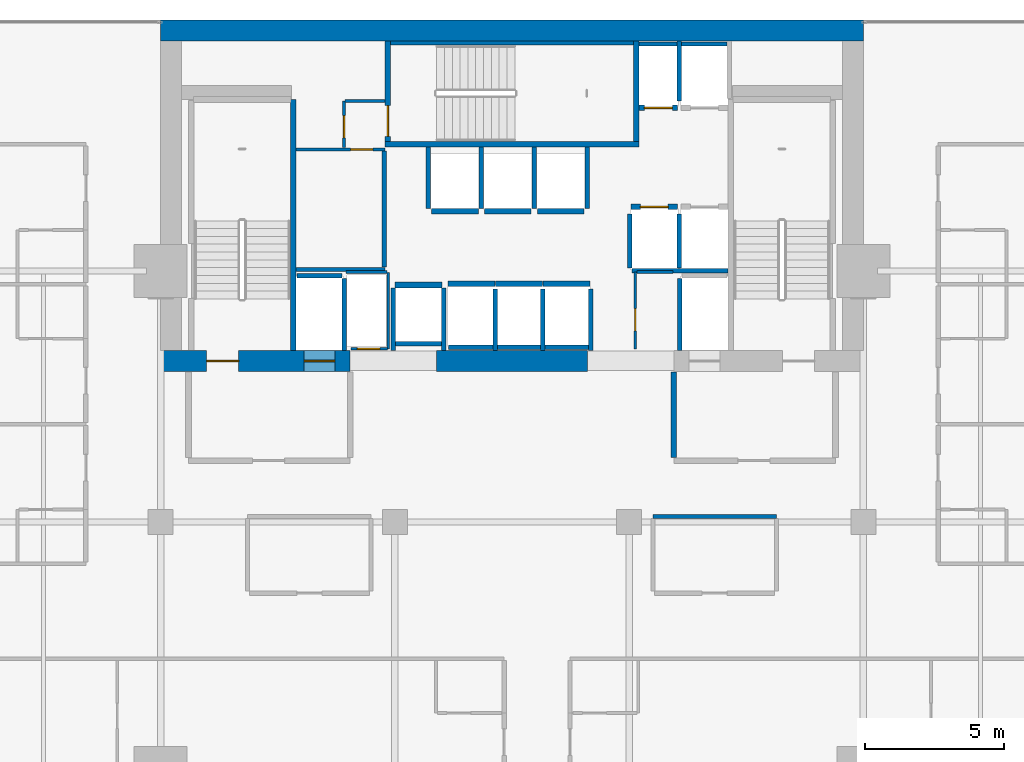
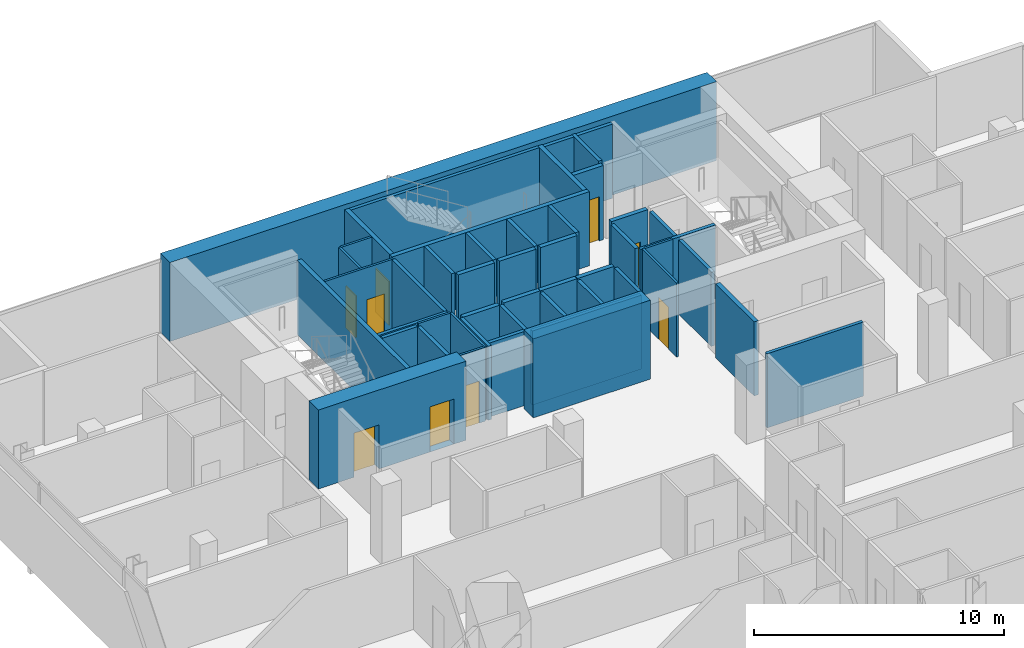
# One storey, part 30 of 34: 48 walls, 9 doors, 9 openings.
"""IFC4 building model written with IfcOpenShell, lengths in metres."""

from ifc_helpers import new_model, si_unit, direction, frame, frame_2d, origin, place, context, subcontext, project, spatial, rectangle, extrude, material, layer, layer_set, type_object, element, fill, save


model = new_model("IFC4")

# Units and contexts
model_context = context("Model", 3, precision=1e-05, world=origin(), true_north=direction((0.0, 1.0)))
body_context = subcontext(model_context, "Body", "Model", "MODEL_VIEW")
ifc_project = project(units=[si_unit("LENGTHUNIT", "METRE"), si_unit("AREAUNIT", "SQUARE_METRE"), si_unit("VOLUMEUNIT", "CUBIC_METRE"), si_unit("PLANEANGLEUNIT", "RADIAN"), si_unit("MASSUNIT", "GRAM", prefix="KILO")], contexts=[model_context])

# Site, building, storey
site_placement = place(None, origin())
site = spatial("IfcSite", under=ifc_project, at=site_placement, CompositionType="ELEMENT")
building_placement = place(site_placement, origin())
building = spatial("IfcBuilding", under=site, at=building_placement, Name="Maruvema Waterfront Hotel and Observation Tower", CompositionType="ELEMENT")
storey_placement = place(building_placement, frame((0.0, 0.0, 177.449951171875)))
storey = spatial("IfcBuildingStorey", under=building, at=storey_placement, Name="L43", CompositionType="ELEMENT", Elevation=177.449951171875)

# Walls
ifc_material_1 = material(Name="Twin-stud acoustic gypsum drywall", Category="gypsum")
ifc_layer_1 = layer(ifc_material_1, 0.14990234375, Name="Acoustic Corridor and Suite Demising Wall 150 mm")
ifc_layer_set_1 = layer_set([ifc_layer_1], Name="Twin-stud acoustic gypsum drywall")
wall_type_1 = type_object("IfcWallType", Name="Acoustic Corridor and Suite Demising Wall 150 mm", PredefinedType="PARTITIONING", material=ifc_layer_set_1)
wall_1_placement = place(storey_placement, frame((30.06005859375, 45.06005859375, 0.0), z_axis=(0.0, 0.0, 1.0), x_axis=(1.0, 0.0, 0.0)))
element("IfcWall", 1, at=wall_1_placement, inside=storey, type_object=wall_type_1, Name="L43 Freed B1 South Wall 012", PredefinedType="PARTITIONING", context=body_context, shape_type="SweptSolid", body=[
    extrude(rectangle(XDim=3.179931640625, YDim=0.14990234375, at=frame_2d((1.58984375, 0.0))), origin(), (0.0, 0.0, 1.0), 3.610107421875),
])
wall_2_placement = place(storey_placement, frame((33.219970703125, 45.139892578125, 0.0), z_axis=(0.0, 0.0, 1.0), x_axis=(0.0, 1.0, 0.0)))
element("IfcWall", 2, at=wall_2_placement, inside=storey, type_object=wall_type_1, Name="L43 Freed B1 East Wall 013", PredefinedType="PARTITIONING", context=body_context, shape_type="SweptSolid", body=[
    extrude(rectangle(XDim=4.16015625, YDim=0.14990234375, at=frame_2d((2.080078125, 0.0))), origin(), (0.0, 0.0, 1.0), 3.610107421875),
])
wall_3_placement = place(storey_placement, frame((42.85009765625, 36.199951171875, 0.0), z_axis=(0.0, 0.0, 1.0), x_axis=(1.0, 0.0, 0.0)))
element("IfcWall", 3, at=wall_3_placement, inside=storey, type_object=wall_type_1, Name="L43 L43-M2 Back Wall 021", PredefinedType="PARTITIONING", context=body_context, shape_type="SweptSolid", body=[
    extrude(rectangle(XDim=4.429931640625, YDim=0.14990234375, at=frame_2d((2.21484375, 0.0))), origin(), (0.0, 0.0, 1.0), 3.610107421875),
])
ifc_material_2 = material(Name="Precast concrete C45/55", Category="concrete")
ifc_layer_2 = layer(ifc_material_2, 0.14990234375, Name="Core Shaft Furring Wall 150 mm")
ifc_layer_set_2 = layer_set([ifc_layer_2], Name="Precast concrete C45/55")
wall_type_2 = type_object("IfcWallType", Name="Core Shaft Furring Wall 150 mm", PredefinedType="SOLIDWALL", material=ifc_layer_set_2)
wall_4_placement = place(storey_placement, frame((33.449951171875, 53.175048828125, 0.0), z_axis=(0.0, 0.0, 1.0), x_axis=(1.0, 0.0, 0.0)))
element("IfcWall", 4, at=wall_4_placement, inside=storey, type_object=wall_type_2, Name="L43 Stairwell ST-02 North Furring Wall", PredefinedType="SOLIDWALL", context=body_context, shape_type="SweptSolid", body=[
    extrude(rectangle(XDim=8.699951171875, YDim=0.14990234375, at=frame_2d((4.35009765625, 0.0))), origin(), (0.0, 0.0, 1.0), 3.610107421875),
])
ifc_material_3 = material(Name="Precast concrete C45/55", Category="concrete")
ifc_layer_3 = layer(ifc_material_3, 0.199951171875, Name="Core Shaft and Stairwell Enclosure Wall 200 mm")
ifc_layer_set_3 = layer_set([ifc_layer_3], Name="Precast concrete C45/55")
wall_type_3 = type_object("IfcWallType", Name="Core Shaft and Stairwell Enclosure Wall 200 mm", PredefinedType="SOLIDWALL", material=ifc_layer_set_3)
wall_5_placement = place(storey_placement, frame((29.949951171875, 42.14990234375, 0.0), z_axis=(0.0, 0.0, 1.0), x_axis=(0.0, 1.0, 0.0)))
element("IfcWall", 5, at=wall_5_placement, inside=storey, type_object=wall_type_3, Name="L43 Stairwell ST-01 East Shaft Wall", PredefinedType="SOLIDWALL", context=body_context, shape_type="SweptSolid", body=[
    extrude(rectangle(XDim=9.0, YDim=0.199951171875, at=frame_2d((4.5, 0.0))), origin(), (0.0, 0.0, 1.0), 3.610107421875),
])
wall_6_placement = place(storey_placement, frame((33.25, 49.550048828125, 0.0), z_axis=(0.0, 0.0, 1.0), x_axis=(1.0, 0.0, 0.0)))
element("IfcWall", 6, at=wall_6_placement, inside=storey, type_object=wall_type_3, Name="L43 Stairwell ST-02 Shaft Wall", PredefinedType="SOLIDWALL", context=body_context, shape_type="SweptSolid", body=[
    extrude(rectangle(XDim=9.10009765625, YDim=0.199951171875, at=frame_2d((4.550048828125, 0.0))), origin(), (0.0, 0.0, 1.0), 3.610107421875),
])
wall_7_placement = place(storey_placement, frame((42.25, 49.64990234375, 0.0), z_axis=(0.0, 0.0, 1.0), x_axis=(0.0, 1.0, 0.0)))
element("IfcWall", 7, at=wall_7_placement, inside=storey, type_object=wall_type_3, Name="L43 Stairwell ST-02 Shaft Wall", PredefinedType="SOLIDWALL", context=body_context, shape_type="SweptSolid", body=[
    extrude(rectangle(XDim=3.60009765625, YDim=0.199951171875, at=frame_2d((1.800048828125, 0.0))), origin(), (0.0, 0.0, 1.0), 3.610107421875),
])

# Wall, opening, door
wall_8_placement = place(storey_placement, frame((33.35009765625, 49.64990234375, 0.0), z_axis=(0.0, 0.0, 1.0), x_axis=(0.0, 1.0, 0.0)))
wall_8 = element("IfcWall", 8, at=wall_8_placement, inside=storey, type_object=wall_type_3, Name="L43 Stairwell ST-02 Shaft Wall", PredefinedType="SOLIDWALL", context=body_context, shape_type="SweptSolid", body=[
    extrude(rectangle(XDim=3.60009765625, YDim=0.199951171875, at=frame_2d((1.800048828125, 0.0))), origin(), (0.0, 0.0, 1.0), 3.610107421875),
])
opening_1_placement = place(wall_8_placement, frame((0.179931640625, 0.0, 0.0)))
opening_1 = element("IfcOpeningElement", 9, at=opening_1_placement, cuts=wall_8, Name="Opening SD-02", PredefinedType="OPENING", context=body_context, shape_type="SweptSolid", body=[
    extrude(rectangle(XDim=1.10009765625, YDim=2.14990234375, at=frame_2d((0.550048828125, 1.074951171875))), frame((0.0, 0.10986328125, 0.0), z_axis=(0.0, -1.0, 0.0), x_axis=(1.0, 0.0, 0.0)), (0.0, 0.0, 1.0), 0.219970703125),
])
ifc_material_4 = material(Name="Fire-rated galvanised steel leaf", Category="steel")
door_type_1 = type_object("IfcDoorType", Name="Central Exit Stair Fire Door 1100x2150 mm", OperationType="NOTDEFINED", PredefinedType="DOOR", material=ifc_material_4)
door_1_placement = place(opening_1_placement, frame((1.10009765625, 0.0, 0.0), z_axis=(0.0, 0.0, 1.0), x_axis=(-1.0, 0.0, 0.0)))
door_1 = element("IfcDoor", 10, at=door_1_placement, inside=storey, type_object=door_type_1, Name="L43 Exit Stair ST-02 Fire Door", OperationType="SINGLE_SWING_LEFT", OverallHeight=2.14990234375, OverallWidth=1.10009765625, PredefinedType="DOOR", context=body_context, shape_type="SweptSolid", body=[
    extrude(rectangle(XDim=1.10009765625, YDim=2.14990234375, at=frame_2d((0.550048828125, 1.074951171875))), frame((0.0, 0.02490234375, 0.0), z_axis=(0.0, -1.0, 0.0), x_axis=(1.0, 0.0, 0.0)), (0.0, 0.0, 1.0), 0.050048828125),
])
fill(opening_1, door_1)

wall_9_placement = place(storey_placement, frame((42.06005859375, 47.300048828125, 0.0), z_axis=(0.0, 0.0, 1.0), x_axis=(1.0, 0.0, 0.0)))
wall_9 = element("IfcWall", 11, at=wall_9_placement, inside=storey, type_object=wall_type_3, Name="L43 Lift LF-05 Hoistway Front Wall", PredefinedType="SOLIDWALL", context=body_context, shape_type="SweptSolid", body=[
    extrude(rectangle(XDim=1.679931640625, YDim=0.199951171875, at=frame_2d((0.83984375, 0.0))), origin(), (0.0, 0.0, 1.0), 3.610107421875),
])
opening_2_placement = place(wall_9_placement, frame((0.340087890625, 0.0, 0.0)))
opening_2 = element("IfcOpeningElement", 12, at=opening_2_placement, cuts=wall_9, Name="Opening LD-01", PredefinedType="OPENING", context=body_context, shape_type="SweptSolid", body=[
    extrude(rectangle(XDim=1.0, YDim=2.14990234375, at=frame_2d((0.5, 1.074951171875))), frame((0.0, 0.10986328125, 0.0), z_axis=(0.0, -1.0, 0.0), x_axis=(1.0, 0.0, 0.0)), (0.0, 0.0, 1.0), 0.219970703125),
])
ifc_material_5 = material(Name="Brushed stainless steel Grade 316", Category="steel")
door_type_2 = type_object("IfcDoorType", Name="Passenger Lift Sliding Landing Door 1000x2150 mm", OperationType="SLIDING_TO_LEFT", PredefinedType="DOOR", material=ifc_material_5)
door_2_placement = place(opening_2_placement, origin())
door_2 = element("IfcDoor", 13, at=door_2_placement, inside=storey, type_object=door_type_2, Name="L43 Lift LF-05 Sliding Landing Door", OperationType="SLIDING_TO_LEFT", OverallHeight=2.14990234375, OverallWidth=1.0, PredefinedType="DOOR", context=body_context, shape_type="SweptSolid", body=[
    extrude(rectangle(XDim=1.0, YDim=2.14990234375, at=frame_2d((0.5, 1.074951171875))), frame((0.0, 0.02490234375, 0.0), z_axis=(0.0, -1.0, 0.0), x_axis=(1.0, 0.0, 0.0)), (0.0, 0.0, 1.0), 0.050048828125),
])
fill(opening_2, door_2)

wall_10_placement = place(storey_placement, frame((42.360107421875, 50.85009765625, 0.0), z_axis=(0.0, 0.0, 1.0), x_axis=(1.0, 0.0, 0.0)))
wall_10 = element("IfcWall", 14, at=wall_10_placement, inside=storey, type_object=wall_type_3, Name="L43 Lift LF-07 Hoistway Front Wall", PredefinedType="SOLIDWALL", context=body_context, shape_type="SweptSolid", body=[
    extrude(rectangle(XDim=1.3798828125, YDim=0.199951171875, at=frame_2d((0.68994140625, 0.0))), origin(), (0.0, 0.0, 1.0), 3.610107421875),
])
opening_3_placement = place(wall_10_placement, frame((0.18994140625, 0.0, 0.0)))
opening_3 = element("IfcOpeningElement", 15, at=opening_3_placement, cuts=wall_10, Name="Opening LD-01", PredefinedType="OPENING", context=body_context, shape_type="SweptSolid", body=[
    extrude(rectangle(XDim=1.0, YDim=2.14990234375, at=frame_2d((0.5, 1.074951171875))), frame((0.0, 0.10986328125, 0.0), z_axis=(0.0, -1.0, 0.0), x_axis=(1.0, 0.0, 0.0)), (0.0, 0.0, 1.0), 0.219970703125),
])
door_3_placement = place(opening_3_placement, frame((1.0, 0.0, 0.0), z_axis=(0.0, 0.0, 1.0), x_axis=(-1.0, 0.0, 0.0)))
door_3 = element("IfcDoor", 16, at=door_3_placement, inside=storey, type_object=door_type_2, Name="L43 Lift LF-07 Sliding Landing Door", OperationType="SLIDING_TO_LEFT", OverallHeight=2.14990234375, OverallWidth=1.0, PredefinedType="DOOR", context=body_context, shape_type="SweptSolid", body=[
    extrude(rectangle(XDim=1.0, YDim=2.14990234375, at=frame_2d((0.5, 1.074951171875))), frame((0.0, 0.02490234375, 0.0), z_axis=(0.0, -1.0, 0.0), x_axis=(1.0, 0.0, 0.0)), (0.0, 0.0, 1.0), 0.050048828125),
])
fill(opening_3, door_3)

# Walls
for number, where, z_axis, x_axis, name in (
    (17, (35.510009765625, 44.550048828125, 0.0), (0.0, 0.0, 1.0), (1.0, 0.0, 0.0), "L43 Lift LF-09 Hoistway Front Wall"),
    (18, (37.2099609375, 44.550048828125, 0.0), (0.0, 0.0, 1.0), (1.0, 0.0, 0.0), "L43 Lift LF-10 Hoistway Front Wall"),
):
    element("IfcWall", number, at=place(storey_placement, frame(where, z_axis=z_axis, x_axis=x_axis)), inside=storey, type_object=wall_type_3, Name=name, PredefinedType="SOLIDWALL", context=body_context, shape_type="SweptSolid", body=[
        extrude(rectangle(XDim=1.679931640625, YDim=0.199951171875, at=frame_2d((0.83984375, 0.0))), origin(), (0.0, 0.0, 1.0), 3.610107421875),
    ])
for number, where, z_axis, x_axis, name in (
    (19, (38.909912109375, 44.550048828125, 0.0), (0.0, 0.0, 1.0), (1.0, 0.0, 0.0), "L43 Lift LF-11 Hoistway Front Wall"),
    (20, (34.909912109375, 47.14990234375, 0.0), (0.0, 0.0, 1.0), (1.0, 0.0, 0.0), "L43 Lift LF-12 Hoistway Front Wall"),
):
    element("IfcWall", number, at=place(storey_placement, frame(where, z_axis=z_axis, x_axis=x_axis)), inside=storey, type_object=wall_type_3, Name=name, PredefinedType="SOLIDWALL", context=body_context, shape_type="SweptSolid", body=[
        extrude(rectangle(XDim=1.68017578125, YDim=0.199951171875, at=frame_2d((0.840087890625, 0.0))), origin(), (0.0, 0.0, 1.0), 3.610107421875),
    ])
for number, where, z_axis, x_axis, name in (
    (21, (36.81005859375, 47.14990234375, 0.0), (0.0, 0.0, 1.0), (1.0, 0.0, 0.0), "L43 Lift LF-13 Hoistway Front Wall"),
    (22, (38.7099609375, 47.14990234375, 0.0), (0.0, 0.0, 1.0), (1.0, 0.0, 0.0), "L43 Lift LF-14 Hoistway Front Wall"),
    (23, (33.610107421875, 44.5, 0.0), (0.0, 0.0, 1.0), (1.0, 0.0, 0.0), "L43 Lift LF-15 Hoistway Front Wall"),
):
    element("IfcWall", number, at=place(storey_placement, frame(where, z_axis=z_axis, x_axis=x_axis)), inside=storey, type_object=wall_type_3, Name=name, PredefinedType="SOLIDWALL", context=body_context, shape_type="SweptSolid", body=[
        extrude(rectangle(XDim=1.679931640625, YDim=0.199951171875, at=frame_2d((0.83984375, 0.0))), origin(), (0.0, 0.0, 1.0), 3.610107421875),
    ])
ifc_material_6 = material(Name="Concrete C70/85", Category="concrete")
ifc_layer_4 = layer(ifc_material_6, 0.75, Name="Core Shear Wall 750 mm")
ifc_layer_set_4 = layer_set([ifc_layer_4], Name="Concrete C70/85")
wall_type_4 = type_object("IfcWallType", Name="Core Shear Wall 750 mm", PredefinedType="SHEAR", material=ifc_layer_set_4)
wall_11_placement = place(storey_placement, frame((25.199951171875, 53.625, 0.0), z_axis=(0.0, 0.0, 1.0), x_axis=(1.0, 0.0, 0.0)))
element("IfcWall", 24, at=wall_11_placement, inside=storey, type_object=wall_type_4, Name="L43 North Core Shear Wall", PredefinedType="SHEAR", context=body_context, shape_type="SweptSolid", body=[
    extrude(rectangle(XDim=25.199951171875, YDim=0.75, at=frame_2d((12.60009765625, 0.0))), origin(), (0.0, 0.0, 1.0), 3.85009765625),
])

# Wall, openings, doors
wall_12_placement = place(storey_placement, frame((25.199951171875, 41.77490234375, 0.0), z_axis=(0.0, 0.0, 1.0), x_axis=(1.0, 0.0, 0.0)))
wall_12 = element("IfcWall", 25, at=wall_12_placement, inside=storey, type_object=wall_type_4, Name="L43 South-West Core Shear Wall", PredefinedType="SHEAR", context=body_context, shape_type="SweptSolid", body=[
    extrude(rectangle(XDim=6.800048828125, YDim=0.75, at=frame_2d((3.39990234375, 0.0))), origin(), (0.0, 0.0, 1.0), 3.85009765625),
])
opening_4_placement = place(wall_12_placement, frame((1.64990234375, 0.0, 0.0)))
opening_4 = element("IfcOpeningElement", 26, at=opening_4_placement, cuts=wall_12, Name="Opening SD-01", PredefinedType="OPENING", context=body_context, shape_type="SweptSolid", body=[
    extrude(rectangle(XDim=1.14990234375, YDim=2.14990234375, at=frame_2d((0.574951171875, 1.074951171875))), frame((0.0, 0.385009765625, 0.0), z_axis=(0.0, -1.0, 0.0), x_axis=(1.0, 0.0, 0.0)), (0.0, 0.0, 1.0), 0.77001953125),
])
opening_5_placement = place(wall_12_placement, frame((5.14990234375, 0.0, 0.0)))
opening_5 = element("IfcOpeningElement", 27, at=opening_5_placement, cuts=wall_12, Name="Opening LD-03", PredefinedType="OPENING", context=body_context, shape_type="SweptSolid", body=[
    extrude(rectangle(XDim=1.10009765625, YDim=2.199951171875, at=frame_2d((0.550048828125, 1.10009765625))), frame((0.0, 0.385009765625, 0.0), z_axis=(0.0, -1.0, 0.0), x_axis=(1.0, 0.0, 0.0)), (0.0, 0.0, 1.0), 0.77001953125),
])
ifc_material_7 = material(Name="Fire-rated galvanised steel leaf", Category="steel")
door_type_3 = type_object("IfcDoorType", Name="Exit Stair Fire Door 1150x2150 mm", OperationType="NOTDEFINED", PredefinedType="DOOR", material=ifc_material_7)
door_4_placement = place(opening_4_placement, origin())
door_4 = element("IfcDoor", 28, at=door_4_placement, inside=storey, type_object=door_type_3, Name="L43 Exit Stair ST-01 Fire Door", OperationType="SINGLE_SWING_LEFT", OverallHeight=2.14990234375, OverallWidth=1.14990234375, PredefinedType="DOOR", context=body_context, shape_type="SweptSolid", body=[
    extrude(rectangle(XDim=1.14990234375, YDim=2.14990234375, at=frame_2d((0.574951171875, 1.074951171875))), frame((0.0, 0.02490234375, 0.0), z_axis=(0.0, -1.0, 0.0), x_axis=(1.0, 0.0, 0.0)), (0.0, 0.0, 1.0), 0.050048828125),
])
fill(opening_4, door_4)
ifc_material_8 = material(Name="Brushed stainless steel Grade 316", Category="steel")
door_type_4 = type_object("IfcDoorType", Name="Firefighting Lift Sliding Landing Door 1100x2200 mm", OperationType="SLIDING_TO_LEFT", PredefinedType="DOOR", material=ifc_material_8)
door_5_placement = place(opening_5_placement, frame((1.10009765625, 0.0, 0.0), z_axis=(0.0, 0.0, 1.0), x_axis=(-1.0, 0.0, 0.0)))
door_5 = element("IfcDoor", 29, at=door_5_placement, inside=storey, type_object=door_type_4, Name="L43 Firefighting Lift FL-01 Landing Door", OperationType="SLIDING_TO_LEFT", OverallHeight=2.199951171875, OverallWidth=1.10009765625, PredefinedType="DOOR", context=body_context, shape_type="SweptSolid", body=[
    extrude(rectangle(XDim=1.10009765625, YDim=2.199951171875, at=frame_2d((0.550048828125, 1.10009765625))), frame((0.0, 0.02490234375, 0.0), z_axis=(0.0, -1.0, 0.0), x_axis=(1.0, 0.0, 0.0)), (0.0, 0.0, 1.0), 0.050048828125),
])
fill(opening_5, door_5)

# Wall
wall_13_placement = place(storey_placement, frame((35.10009765625, 41.77490234375, 0.0), z_axis=(0.0, 0.0, 1.0), x_axis=(1.0, 0.0, 0.0)))
element("IfcWall", 30, at=wall_13_placement, inside=storey, type_object=wall_type_4, Name="L43 South-Central Core Shear Wall", PredefinedType="SHEAR", context=body_context, shape_type="SweptSolid", body=[
    extrude(rectangle(XDim=5.39990234375, YDim=0.75, at=frame_2d((2.699951171875, 0.0))), origin(), (0.0, 0.0, 1.0), 3.85009765625),
])

# Wall, opening, door
ifc_material_9 = material(Name="Moisture-resistant cement-board drywall", Category="gypsum")
ifc_layer_5 = layer(ifc_material_9, 0.10009765625, Name="En-Suite Moisture-Resistant Partition 100 mm")
ifc_layer_set_5 = layer_set([ifc_layer_5], Name="Moisture-resistant cement-board drywall")
wall_type_5 = type_object("IfcWallType", Name="En-Suite Moisture-Resistant Partition 100 mm", PredefinedType="PARTITIONING", material=ifc_layer_set_5)
wall_14_placement = place(storey_placement, frame((32.02001953125, 42.2099609375, 0.0), z_axis=(0.0, 0.0, 1.0), x_axis=(1.0, 0.0, 0.0)))
wall_14 = element("IfcWall", 31, at=wall_14_placement, inside=storey, type_object=wall_type_5, Name="L43 Telecom Riser South Wall 007", PredefinedType="PARTITIONING", context=body_context, shape_type="SweptSolid", body=[
    extrude(rectangle(XDim=1.320068359375, YDim=0.10009765625, at=frame_2d((0.66015625, 0.0))), origin(), (0.0, 0.0, 1.0), 3.610107421875),
])
opening_6_placement = place(wall_14_placement, frame((0.239990234375, 0.0, 0.0)))
opening_6 = element("IfcOpeningElement", 32, at=opening_6_placement, cuts=wall_14, Name="Opening DR-080", PredefinedType="OPENING", context=body_context, shape_type="SweptSolid", body=[
    extrude(rectangle(XDim=0.800048828125, YDim=2.050048828125, at=frame_2d((0.39990234375, 1.02490234375))), frame((0.0, 0.06005859375, 0.0), z_axis=(0.0, -1.0, 0.0), x_axis=(1.0, 0.0, 0.0)), (0.0, 0.0, 1.0), 0.1201171875),
])
ifc_material_10 = material(Name="Powder-coated steel access leaf", Category="steel")
door_type_5 = type_object("IfcDoorType", Name="Riser and Service Cupboard Door 800x2050 mm", OperationType="NOTDEFINED", PredefinedType="DOOR", material=ifc_material_10)
door_6_placement = place(opening_6_placement, frame((0.800048828125, 0.0, 0.0), z_axis=(0.0, 0.0, 1.0), x_axis=(-1.0, 0.0, 0.0)))
door_6 = element("IfcDoor", 33, at=door_6_placement, inside=storey, type_object=door_type_5, Name="L43 Telecom Riser Door", OperationType="SINGLE_SWING_RIGHT", OverallHeight=2.050048828125, OverallWidth=0.800048828125, PredefinedType="DOOR", context=body_context, shape_type="SweptSolid", body=[
    extrude(rectangle(XDim=0.800048828125, YDim=2.050048828125, at=frame_2d((0.39990234375, 1.02490234375))), frame((0.0, 0.02490234375, 0.0), z_axis=(0.0, -1.0, 0.0), x_axis=(1.0, 0.0, 0.0)), (0.0, 0.0, 1.0), 0.050048828125),
])
fill(opening_6, door_6)

# Walls
wall_15_placement = place(storey_placement, frame((31.840087890625, 44.9599609375, 0.0), z_axis=(0.0, 0.0, 1.0), x_axis=(1.0, 0.0, 0.0)))
element("IfcWall", 34, at=wall_15_placement, inside=storey, type_object=wall_type_5, Name="L43 Telecom Riser North Wall 008", PredefinedType="PARTITIONING", context=body_context, shape_type="SweptSolid", body=[
    extrude(rectangle(XDim=1.47998046875, YDim=0.10009765625, at=frame_2d((0.739990234375, 0.0))), origin(), (0.0, 0.0, 1.0), 3.610107421875),
])
wall_16_placement = place(storey_placement, frame((33.360107421875, 42.2099609375, 0.0), z_axis=(0.0, 0.0, 1.0), x_axis=(0.0, 1.0, 0.0)))
element("IfcWall", 35, at=wall_16_placement, inside=storey, type_object=wall_type_5, Name="L43 Telecom Riser East Wall 009", PredefinedType="PARTITIONING", context=body_context, shape_type="SweptSolid", body=[
    extrude(rectangle(XDim=2.72998046875, YDim=0.10009765625, at=frame_2d((1.364990234375, 0.0))), origin(), (0.0, 0.0, 1.0), 3.610107421875),
])

# Wall, opening, door
wall_17_placement = place(storey_placement, frame((42.219970703125, 42.199951171875, 0.0), z_axis=(0.0, 0.0, 1.0), x_axis=(0.0, 1.0, 0.0)))
wall_17 = element("IfcWall", 36, at=wall_17_placement, inside=storey, type_object=wall_type_5, Name="L43 Core Closet K1 West 010", PredefinedType="PARTITIONING", context=body_context, shape_type="SweptSolid", body=[
    extrude(rectangle(XDim=2.760009765625, YDim=0.10009765625, at=frame_2d((1.3798828125, 0.0))), origin(), (0.0, 0.0, 1.0), 3.610107421875),
])
opening_7_placement = place(wall_17_placement, frame((0.64990234375, 0.0, 0.0)))
opening_7 = element("IfcOpeningElement", 37, at=opening_7_placement, cuts=wall_17, Name="Opening DR-080", PredefinedType="OPENING", context=body_context, shape_type="SweptSolid", body=[
    extrude(rectangle(XDim=0.800048828125, YDim=2.050048828125, at=frame_2d((0.39990234375, 1.02490234375))), frame((0.0, 0.06005859375, 0.0), z_axis=(0.0, -1.0, 0.0), x_axis=(1.0, 0.0, 0.0)), (0.0, 0.0, 1.0), 0.1201171875),
])
door_7_placement = place(opening_7_placement, frame((0.800048828125, 0.0, 0.0), z_axis=(0.0, 0.0, 1.0), x_axis=(-1.0, 0.0, 0.0)))
door_7 = element("IfcDoor", 38, at=door_7_placement, inside=storey, type_object=door_type_5, Name="L43 Core Cleaning Store Door", OperationType="SINGLE_SWING_LEFT", OverallHeight=2.050048828125, OverallWidth=0.800048828125, PredefinedType="DOOR", context=body_context, shape_type="SweptSolid", body=[
    extrude(rectangle(XDim=0.800048828125, YDim=2.050048828125, at=frame_2d((0.39990234375, 1.02490234375))), frame((0.0, 0.02490234375, 0.0), z_axis=(0.0, -1.0, 0.0), x_axis=(1.0, 0.0, 0.0)), (0.0, 0.0, 1.0), 0.050048828125),
])
fill(opening_7, door_7)

# Wall
wall_18_placement = place(storey_placement, frame((42.280029296875, 44.9599609375, 0.0), z_axis=(0.0, 0.0, 1.0), x_axis=(1.0, 0.0, 0.0)))
element("IfcWall", 39, at=wall_18_placement, inside=storey, type_object=wall_type_5, Name="L43 Core Closet K1 North 011", PredefinedType="PARTITIONING", context=body_context, shape_type="SweptSolid", body=[
    extrude(rectangle(XDim=1.300048828125, YDim=0.10009765625, at=frame_2d((0.64990234375, 0.0))), origin(), (0.0, 0.0, 1.0), 3.610107421875),
])

# Wall, opening, door
wall_19_placement = place(storey_placement, frame((30.06005859375, 49.360107421875, 0.0), z_axis=(0.0, 0.0, 1.0), x_axis=(1.0, 0.0, 0.0)))
wall_19 = element("IfcWall", 40, at=wall_19_placement, inside=storey, type_object=wall_type_5, Name="L43 Freed B1 Mid Wall 014", PredefinedType="PARTITIONING", context=body_context, shape_type="SweptSolid", body=[
    extrude(rectangle(XDim=3.179931640625, YDim=0.10009765625, at=frame_2d((1.58984375, 0.0))), origin(), (0.0, 0.0, 1.0), 3.610107421875),
])
opening_8_placement = place(wall_19_placement, frame((1.949951171875, 0.0, 0.0)))
opening_8 = element("IfcOpeningElement", 41, at=opening_8_placement, cuts=wall_19, Name="Opening DR-080", PredefinedType="OPENING", context=body_context, shape_type="SweptSolid", body=[
    extrude(rectangle(XDim=0.800048828125, YDim=2.050048828125, at=frame_2d((0.39990234375, 1.02490234375))), frame((0.0, 0.06005859375, 0.0), z_axis=(0.0, -1.0, 0.0), x_axis=(1.0, 0.0, 0.0)), (0.0, 0.0, 1.0), 0.1201171875),
])
door_8_placement = place(opening_8_placement, origin())
door_8 = element("IfcDoor", 42, at=door_8_placement, inside=storey, type_object=door_type_5, Name="L43 Housekeeping and Linen Room Door", OperationType="SINGLE_SWING_RIGHT", OverallHeight=2.050048828125, OverallWidth=0.800048828125, PredefinedType="DOOR", context=body_context, shape_type="SweptSolid", body=[
    extrude(rectangle(XDim=0.800048828125, YDim=2.050048828125, at=frame_2d((0.39990234375, 1.02490234375))), frame((0.0, 0.02490234375, 0.0), z_axis=(0.0, -1.0, 0.0), x_axis=(1.0, 0.0, 0.0)), (0.0, 0.0, 1.0), 0.050048828125),
])
fill(opening_8, door_8)

wall_20_placement = place(storey_placement, frame((31.780029296875, 49.419921875, 0.0), z_axis=(0.0, 0.0, 1.0), x_axis=(0.0, 1.0, 0.0)))
wall_20 = element("IfcWall", 43, at=wall_20_placement, inside=storey, type_object=wall_type_5, Name="L43 Freed B1 NW East Wall 015", PredefinedType="PARTITIONING", context=body_context, shape_type="SweptSolid", body=[
    extrude(rectangle(XDim=1.68017578125, YDim=0.10009765625, at=frame_2d((0.840087890625, 0.0))), origin(), (0.0, 0.0, 1.0), 3.610107421875),
])
opening_9_placement = place(wall_20_placement, frame((0.35009765625, 0.0, 0.0)))
opening_9 = element("IfcOpeningElement", 44, at=opening_9_placement, cuts=wall_20, Name="Opening DR-080", PredefinedType="OPENING", context=body_context, shape_type="SweptSolid", body=[
    extrude(rectangle(XDim=0.800048828125, YDim=2.050048828125, at=frame_2d((0.39990234375, 1.02490234375))), frame((0.0, 0.06005859375, 0.0), z_axis=(0.0, -1.0, 0.0), x_axis=(1.0, 0.0, 0.0)), (0.0, 0.0, 1.0), 0.1201171875),
])
door_9_placement = place(opening_9_placement, origin())
door_9 = element("IfcDoor", 45, at=door_9_placement, inside=storey, type_object=door_type_5, Name="L43 Guest Floor Pantry Door", OperationType="SINGLE_SWING_LEFT", OverallHeight=2.050048828125, OverallWidth=0.800048828125, PredefinedType="DOOR", context=body_context, shape_type="SweptSolid", body=[
    extrude(rectangle(XDim=0.800048828125, YDim=2.050048828125, at=frame_2d((0.39990234375, 1.02490234375))), frame((0.0, 0.02490234375, 0.0), z_axis=(0.0, -1.0, 0.0), x_axis=(1.0, 0.0, 0.0)), (0.0, 0.0, 1.0), 0.050048828125),
])
fill(opening_9, door_9)

# Walls
wall_21_placement = place(storey_placement, frame((31.820068359375, 51.10009765625, 0.0), z_axis=(0.0, 0.0, 1.0), x_axis=(1.0, 0.0, 0.0)))
element("IfcWall", 46, at=wall_21_placement, inside=storey, type_object=wall_type_5, Name="L43 Freed B1 Vestibule North Wall 016", PredefinedType="PARTITIONING", context=body_context, shape_type="SweptSolid", body=[
    extrude(rectangle(XDim=1.419921875, YDim=0.10009765625, at=frame_2d((0.7099609375, 0.0))), origin(), (0.0, 0.0, 1.0), 3.610107421875),
])
ifc_material_11 = material(Name="Autoclaved cellular concrete blockwork", Category="masonry")
ifc_layer_6 = layer(ifc_material_11, 0.199951171875, Name="Fire Compartment Masonry Wall 200 mm")
ifc_layer_set_6 = layer_set([ifc_layer_6], Name="Autoclaved cellular concrete blockwork")
wall_type_6 = type_object("IfcWallType", Name="Fire Compartment Masonry Wall 200 mm", PredefinedType="PARTITIONING", material=ifc_layer_set_6)
wall_22_placement = place(storey_placement, frame((43.60009765625, 38.31005859375, 0.0), z_axis=(0.0, 0.0, 1.0), x_axis=(0.0, 1.0, 0.0)))
element("IfcWall", 47, at=wall_22_placement, inside=storey, type_object=wall_type_6, Name="L43 FFL East West Wall 005", PredefinedType="PARTITIONING", context=body_context, shape_type="SweptSolid", body=[
    extrude(rectangle(XDim=3.06982421875, YDim=0.199951171875, at=frame_2d((1.534912109375, 0.0))), origin(), (0.0, 0.0, 1.0), 3.610107421875),
])
ifc_material_12 = material(Name="Precast concrete C45/55", Category="concrete")
ifc_layer_7 = layer(ifc_material_12, 0.159912109375, Name="Lift Hoistway Divider Wall 160 mm")
ifc_layer_set_7 = layer_set([ifc_layer_7], Name="Precast concrete C45/55")
wall_type_7 = type_object("IfcWallType", Name="Lift Hoistway Divider Wall 160 mm", PredefinedType="SOLIDWALL", material=ifc_layer_set_7)
wall_23_placement = place(storey_placement, frame((30.10009765625, 44.830078125, 0.0), z_axis=(0.0, 0.0, 1.0), x_axis=(1.0, 0.0, 0.0)))
element("IfcWall", 48, at=wall_23_placement, inside=storey, type_object=wall_type_7, Name="L43 Lift FL-01 Rear Hoistway Wall", PredefinedType="SOLIDWALL", context=body_context, shape_type="SweptSolid", body=[
    extrude(rectangle(XDim=1.599853515625, YDim=0.159912109375, at=frame_2d((0.7998046875, 0.0))), origin(), (0.0, 0.0, 1.0), 3.610107421875),
])
for number, where, z_axis, x_axis, name in (
    (49, (31.780029296875, 42.14990234375, 0.0), (0.0, 0.0, 1.0), (0.0, 1.0, 0.0), "L43 Lift FL-01 Inner Hoistway Wall"),
    (50, (43.820068359375, 42.14990234375, 0.0), (0.0, 0.0, 1.0), (0.0, 1.0, 0.0), "L43 Lift FL-02 Inner Hoistway Wall"),
):
    element("IfcWall", number, at=place(storey_placement, frame(where, z_axis=z_axis, x_axis=x_axis)), inside=storey, type_object=wall_type_7, Name=name, PredefinedType="SOLIDWALL", context=body_context, shape_type="SweptSolid", body=[
        extrude(rectangle(XDim=2.590087890625, YDim=0.159912109375, at=frame_2d((1.294921875, 0.0))), origin(), (0.0, 0.0, 1.0), 3.610107421875),
    ])
for number, where, z_axis, x_axis, name in (
    (51, (42.02001953125, 45.10009765625, 0.0), (0.0, 0.0, 1.0), (0.0, 1.0, 0.0), "L43 Hoistway Divider Wall"),
    (52, (43.800048828125, 45.10009765625, 0.0), (0.0, 0.0, 1.0), (0.0, 1.0, 0.0), "L43 Hoistway Divider Wall"),
):
    element("IfcWall", number, at=place(storey_placement, frame(where, z_axis=z_axis, x_axis=x_axis)), inside=storey, type_object=wall_type_7, Name=name, PredefinedType="SOLIDWALL", context=body_context, shape_type="SweptSolid", body=[
        extrude(rectangle(XDim=1.949951171875, YDim=0.159912109375, at=frame_2d((0.97509765625, 0.0))), origin(), (0.0, 0.0, 1.0), 3.610107421875),
    ])
wall_24_placement = place(storey_placement, frame((42.10009765625, 45.010009765625, 0.0), z_axis=(0.0, 0.0, 1.0), x_axis=(1.0, 0.0, 0.0)))
element("IfcWall", 53, at=wall_24_placement, inside=storey, type_object=wall_type_7, Name="L43 Hoistway Divider Wall", PredefinedType="SOLIDWALL", context=body_context, shape_type="SweptSolid", body=[
    extrude(rectangle(XDim=3.449951171875, YDim=0.159912109375, at=frame_2d((1.72509765625, 0.0))), origin(), (0.0, 0.0, 1.0), 3.610107421875),
])
wall_25_placement = place(storey_placement, frame((43.800048828125, 51.10009765625, 0.0), z_axis=(0.0, 0.0, 1.0), x_axis=(0.0, 1.0, 0.0)))
element("IfcWall", 54, at=wall_25_placement, inside=storey, type_object=wall_type_7, Name="L43 Hoistway Divider Wall", PredefinedType="SOLIDWALL", context=body_context, shape_type="SweptSolid", body=[
    extrude(rectangle(XDim=2.14990234375, YDim=0.159912109375, at=frame_2d((1.074951171875, 0.0))), origin(), (0.0, 0.0, 1.0), 3.610107421875),
])
wall_26_placement = place(storey_placement, frame((42.360107421875, 53.139892578125, 0.0), z_axis=(0.0, 0.0, 1.0), x_axis=(1.0, 0.0, 0.0)))
element("IfcWall", 55, at=wall_26_placement, inside=storey, type_object=wall_type_7, Name="L43 Hoistway Divider Wall", PredefinedType="SOLIDWALL", context=body_context, shape_type="SweptSolid", body=[
    extrude(rectangle(XDim=3.139892578125, YDim=0.159912109375, at=frame_2d((1.56982421875, 0.0))), origin(), (0.0, 0.0, 1.0), 3.610107421875),
])
for number, where, z_axis, x_axis, name in (
    (56, (37.199951171875, 42.14990234375, 0.0), (0.0, 0.0, 1.0), (0.0, 1.0, 0.0), "L43 Hoistway Divider Wall"),
    (57, (38.89990234375, 42.14990234375, 0.0), (0.0, 0.0, 1.0), (0.0, 1.0, 0.0), "L43 Hoistway Divider Wall"),
    (58, (40.6201171875, 42.14990234375, 0.0), (0.0, 0.0, 1.0), (0.0, 1.0, 0.0), "L43 Hoistway Divider Wall"),
):
    element("IfcWall", number, at=place(storey_placement, frame(where, z_axis=z_axis, x_axis=x_axis)), inside=storey, type_object=wall_type_7, Name=name, PredefinedType="SOLIDWALL", context=body_context, shape_type="SweptSolid", body=[
        extrude(rectangle(XDim=2.2001953125, YDim=0.159912109375, at=frame_2d((1.10009765625, 0.0))), origin(), (0.0, 0.0, 1.0), 3.610107421875),
    ])
wall_27_placement = place(storey_placement, frame((35.52001953125, 42.260009765625, 0.0), z_axis=(0.0, 0.0, 1.0), x_axis=(1.0, 0.0, 0.0)))
element("IfcWall", 59, at=wall_27_placement, inside=storey, type_object=wall_type_7, Name="L43 Hoistway Divider Wall", PredefinedType="SOLIDWALL", context=body_context, shape_type="SweptSolid", body=[
    extrude(rectangle(XDim=5.02001953125, YDim=0.159912109375, at=frame_2d((2.510009765625, 0.0))), origin(), (0.0, 0.0, 1.0), 3.610107421875),
])
for number, where, z_axis, x_axis, name in (
    (60, (34.800048828125, 47.25, 0.0), (0.0, 0.0, 1.0), (0.0, 1.0, 0.0), "L43 Hoistway Divider Wall"),
    (61, (36.699951171875, 47.25, 0.0), (0.0, 0.0, 1.0), (0.0, 1.0, 0.0), "L43 Hoistway Divider Wall"),
    (62, (38.60009765625, 47.25, 0.0), (0.0, 0.0, 1.0), (0.0, 1.0, 0.0), "L43 Hoistway Divider Wall"),
    (63, (40.5, 47.25, 0.0), (0.0, 0.0, 1.0), (0.0, 1.0, 0.0), "L43 Hoistway Divider Wall"),
):
    element("IfcWall", number, at=place(storey_placement, frame(where, z_axis=z_axis, x_axis=x_axis)), inside=storey, type_object=wall_type_7, Name=name, PredefinedType="SOLIDWALL", context=body_context, shape_type="SweptSolid", body=[
        extrude(rectangle(XDim=2.18994140625, YDim=0.159912109375, at=frame_2d((1.094970703125, 0.0))), origin(), (0.0, 0.0, 1.0), 3.610107421875),
    ])
for number, where, z_axis, x_axis, name in (
    (64, (33.5400390625, 42.14990234375, 0.0), (0.0, 0.0, 1.0), (0.0, 1.0, 0.0), "L43 Hoistway Divider Wall"),
    (65, (35.360107421875, 42.14990234375, 0.0), (0.0, 0.0, 1.0), (0.0, 1.0, 0.0), "L43 Hoistway Divider Wall"),
):
    element("IfcWall", number, at=place(storey_placement, frame(where, z_axis=z_axis, x_axis=x_axis)), inside=storey, type_object=wall_type_7, Name=name, PredefinedType="SOLIDWALL", context=body_context, shape_type="SweptSolid", body=[
        extrude(rectangle(XDim=2.25, YDim=0.159912109375, at=frame_2d((1.125, 0.0))), origin(), (0.0, 0.0, 1.0), 3.610107421875),
    ])
wall_28_placement = place(storey_placement, frame((33.6201171875, 42.39990234375, 0.0), z_axis=(0.0, 0.0, 1.0), x_axis=(1.0, 0.0, 0.0)))
element("IfcWall", 66, at=wall_28_placement, inside=storey, type_object=wall_type_7, Name="L43 Hoistway Divider Wall", PredefinedType="SOLIDWALL", context=body_context, shape_type="SweptSolid", body=[
    extrude(rectangle(XDim=1.659912109375, YDim=0.159912109375, at=frame_2d((0.830078125, 0.0))), origin(), (0.0, 0.0, 1.0), 3.610107421875),
])

save(model, "model.ifc")
